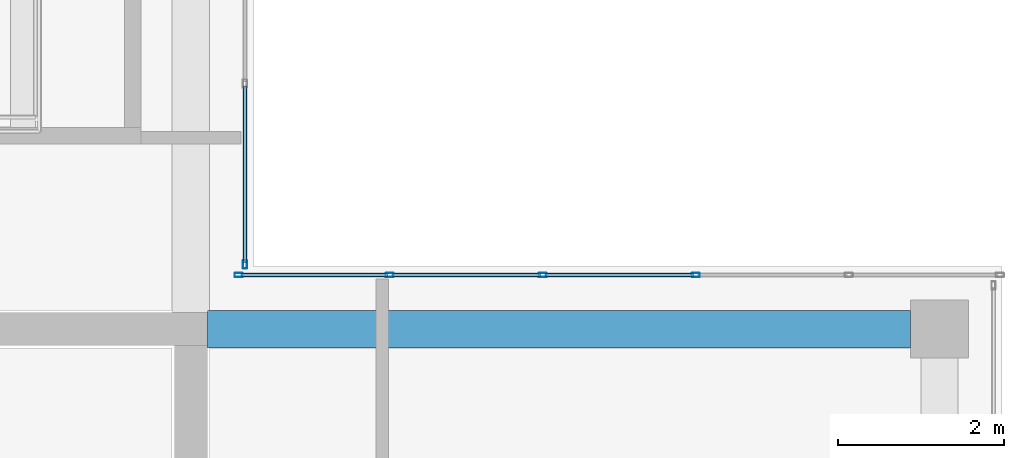
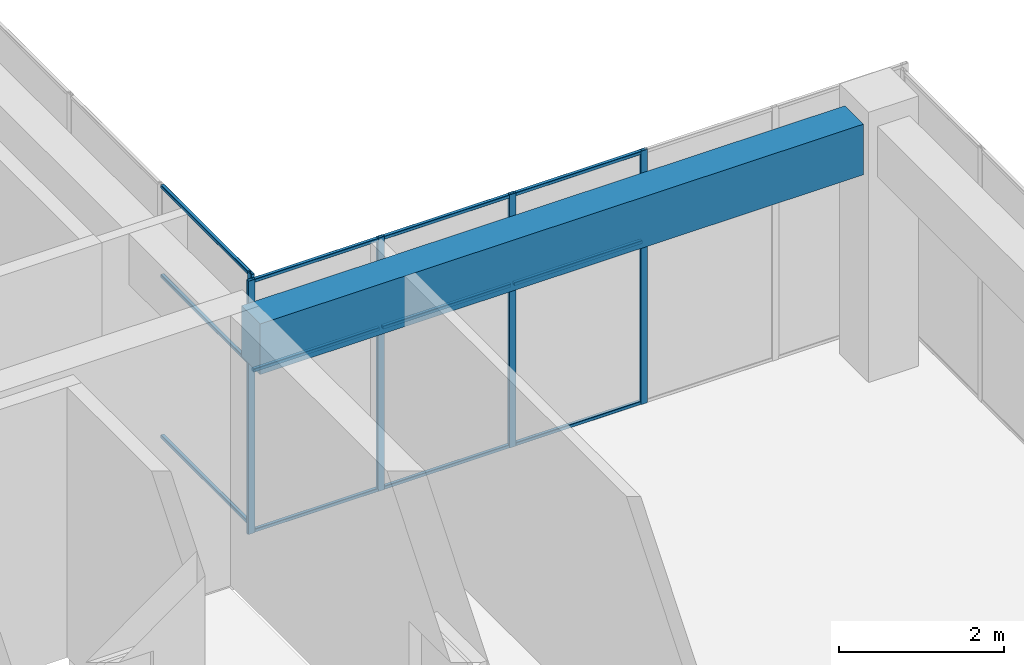
# One storey, part 26 of 49: 17 members, 1 beam, 2 elements without a shape of their own.
"""IFC4 building model written with IfcOpenShell, lengths in metres."""

from ifc_helpers import new_model, si_unit, direction, frame, origin, origin_2d, place, context, subcontext, project, spatial, rectangle, hollow_rectangle, extrude, material, layer, layer_set, material_profile, profile_set, type_object, element, aggregate, save


model = new_model("IFC4")

# Units and contexts
model_context = context("Model", 3, precision=1e-05, world=origin(), true_north=direction((0.0, 1.0)))
body_context = subcontext(model_context, "Body", "Model", "MODEL_VIEW")
ifc_project = project(units=[si_unit("LENGTHUNIT", "METRE"), si_unit("AREAUNIT", "SQUARE_METRE"), si_unit("VOLUMEUNIT", "CUBIC_METRE"), si_unit("PLANEANGLEUNIT", "RADIAN"), si_unit("MASSUNIT", "GRAM", prefix="KILO")], contexts=[model_context])

# Site, building, storey
site_placement = place(None, origin())
site = spatial("IfcSite", under=ifc_project, at=site_placement, CompositionType="ELEMENT")
building_placement = place(site_placement, origin())
building = spatial("IfcBuilding", under=site, at=building_placement, Name="Tuart Plaza Theatre", CompositionType="ELEMENT")
storey_placement = place(building_placement, frame((0.0, 0.0, 29.5)))
storey = spatial("IfcBuildingStorey", under=building, at=storey_placement, Name="L07", CompositionType="ELEMENT", Elevation=29.5)

# Beam
ifc_material_1 = material(Name="Concrete N40 (40 MPa)", Category="concrete")
ifc_material_profile_1 = material_profile(ifc_material_1, rectangle(XDim=0.449951171875, YDim=0.75, at=origin_2d()), Name="BEAM 450x750 Concrete N40 (40 MPa)")
ifc_profile_set_1 = profile_set([ifc_material_profile_1], Name="Concrete N40 (40 MPa)")
beam_type = type_object("IfcBeamType", Name="BEAM 450x750 Concrete N40 (40 MPa)", PredefinedType="BEAM", material=ifc_profile_set_1)
beam_placement = place(storey_placement, frame((141.199951171875, 83.0, 3.375), z_axis=(1.0, 0.0, 0.0), x_axis=(0.0, 1.0, 0.0)))
element("IfcBeam", 1, at=beam_placement, inside=storey, type_object=beam_type, Name="RB276", PredefinedType="BEAM", context=body_context, shape_type="SweptSolid", body=[
    extrude(rectangle(XDim=0.449951171875, YDim=0.75, at=origin_2d()), origin(), (0.0, 0.0, 1.0), 8.449951171875),
])

# Curtain wall, members
ifc_material_2 = material(Name="Aluminium and glass", Category="aluminium")
ifc_layer = layer(ifc_material_2, 0.10009765625)
ifc_layer_set = layer_set([ifc_layer], Name="CURTAIN WALL 2000 module")
curtain_wall_type = type_object("IfcCurtainWallType", Name="CURTAIN WALL 2000 module", PredefinedType="NOTDEFINED", material=ifc_layer_set)
curtain_wall_1_placement = place(storey_placement, origin())
curtain_wall_1 = element("IfcCurtainWall", 2, at=curtain_wall_1_placement, inside=storey, type_object=curtain_wall_type, Name="CW93", PredefinedType="NOTDEFINED")
ifc_material_3 = material(Name="Aluminium 6063-T5", Category="aluminium")
ifc_material_profile_2 = material_profile(ifc_material_3, hollow_rectangle(XDim=0.050048828125, YDim=0.10009765625, WallThickness=0.00390625, InnerFilletRadius=0.00390625, OuterFilletRadius=0.008056640625, at=origin_2d()), Name="RHS 100x50x4")
ifc_profile_set_2 = profile_set([ifc_material_profile_2], Name="Aluminium 6063-T5")
member_type_1 = type_object("IfcMemberType", Name="MULLION RHS 100x50x4", PredefinedType="MULLION", material=ifc_profile_set_2)
member_1_placement = place(storey_placement, frame((147.070068359375, 83.64990234375, 0.0), z_axis=(0.0, 0.0, 1.0), x_axis=(0.0, -1.0, 0.0)))
member_1 = element("IfcMember", 3, at=member_1_placement, type_object=member_type_1, Name="CW93 mullion 3", PredefinedType="MULLION", context=body_context, shape_type="SweptSolid", body=[
    extrude(hollow_rectangle(XDim=0.050048828125, YDim=0.10009765625, WallThickness=0.00390625, InnerFilletRadius=0.00390625, OuterFilletRadius=0.008056640625, at=origin_2d()), origin(), (0.0, 0.0, 1.0), 3.75),
])
member_2_placement = place(storey_placement, frame((145.22998046875, 83.64990234375, 0.0), z_axis=(0.0, 0.0, 1.0), x_axis=(0.0, -1.0, 0.0)))
member_2 = element("IfcMember", 4, at=member_2_placement, type_object=member_type_1, Name="CW93 mullion 4", PredefinedType="MULLION", context=body_context, shape_type="SweptSolid", body=[
    extrude(hollow_rectangle(XDim=0.050048828125, YDim=0.10009765625, WallThickness=0.00390625, InnerFilletRadius=0.00390625, OuterFilletRadius=0.008056640625, at=origin_2d()), origin(), (0.0, 0.0, 1.0), 3.75),
])
member_3_placement = place(storey_placement, frame((143.389892578125, 83.64990234375, 0.0), z_axis=(0.0, 0.0, 1.0), x_axis=(0.0, -1.0, 0.0)))
member_3 = element("IfcMember", 5, at=member_3_placement, type_object=member_type_1, Name="CW93 mullion 5", PredefinedType="MULLION", context=body_context, shape_type="SweptSolid", body=[
    extrude(hollow_rectangle(XDim=0.050048828125, YDim=0.10009765625, WallThickness=0.00390625, InnerFilletRadius=0.00390625, OuterFilletRadius=0.008056640625, at=origin_2d()), origin(), (0.0, 0.0, 1.0), 3.75),
])
member_4_placement = place(storey_placement, frame((141.574951171875, 83.64990234375, 0.0), z_axis=(0.0, 0.0, 1.0), x_axis=(0.0, -1.0, 0.0)))
member_4 = element("IfcMember", 6, at=member_4_placement, type_object=member_type_1, Name="CW93 mullion 6", PredefinedType="MULLION", context=body_context, shape_type="SweptSolid", body=[
    extrude(hollow_rectangle(XDim=0.050048828125, YDim=0.10009765625, WallThickness=0.00390625, InnerFilletRadius=0.00390625, OuterFilletRadius=0.008056640625, at=origin_2d()), origin(), (0.0, 0.0, 1.0), 3.75),
])

# Curtain wall, member
curtain_wall_2_placement = place(storey_placement, origin())
curtain_wall_2 = element("IfcCurtainWall", 7, at=curtain_wall_2_placement, inside=storey, type_object=curtain_wall_type, Name="CW94", PredefinedType="NOTDEFINED")
member_5_placement = place(storey_placement, frame((141.64990234375, 83.77490234375, 0.0), z_axis=(0.0, 0.0, 1.0), x_axis=(-1.0, 0.0, 0.0)))
member_5 = element("IfcMember", 8, at=member_5_placement, type_object=member_type_1, Name="CW94 mullion 1", PredefinedType="MULLION", context=body_context, shape_type="SweptSolid", body=[
    extrude(hollow_rectangle(XDim=0.050048828125, YDim=0.10009765625, WallThickness=0.00390625, InnerFilletRadius=0.00390625, OuterFilletRadius=0.008056640625, at=origin_2d()), origin(), (0.0, 0.0, 1.0), 3.75),
])

# Member
ifc_material_4 = material(Name="Aluminium 6063-T5", Category="aluminium")
ifc_material_profile_3 = material_profile(ifc_material_4, hollow_rectangle(XDim=0.050048828125, YDim=0.050048828125, WallThickness=0.00390625, InnerFilletRadius=0.00390625, OuterFilletRadius=0.008056640625, at=origin_2d()), Name="RHS 50x50x4")
ifc_profile_set_3 = profile_set([ifc_material_profile_3], Name="Aluminium 6063-T5")
member_type_2 = type_object("IfcMemberType", Name="TRANSOM RHS 50x50x4", PredefinedType="USERDEFINED", material=ifc_profile_set_3)
member_6_placement = place(storey_placement, frame((147.044921875, 83.64990234375, 0.02490234375), z_axis=(-1.0, 0.0, 0.0), x_axis=(0.0, -1.0, 0.0)))
member_6 = element("IfcMember", 9, at=member_6_placement, type_object=member_type_2, Name="CW93 transom 3.1", ObjectType="TRANSOM", PredefinedType="USERDEFINED", context=body_context, shape_type="SweptSolid", body=[
    extrude(hollow_rectangle(XDim=0.050048828125, YDim=0.050048828125, WallThickness=0.00390625, InnerFilletRadius=0.00390625, OuterFilletRadius=0.008056640625, at=origin_2d()), origin(), (0.0, 0.0, 1.0), 1.7900390625),
])

member_7_placement = place(storey_placement, frame((147.044921875, 83.64990234375, 2.39990234375), z_axis=(-1.0, 0.0, 0.0), x_axis=(0.0, -1.0, 0.0)))
member_7 = element("IfcMember", 10, at=member_7_placement, type_object=member_type_2, Name="CW93 transom 3.2", ObjectType="TRANSOM", PredefinedType="USERDEFINED", context=body_context, shape_type="SweptSolid", body=[
    extrude(hollow_rectangle(XDim=0.050048828125, YDim=0.050048828125, WallThickness=0.00390625, InnerFilletRadius=0.00390625, OuterFilletRadius=0.008056640625, at=origin_2d()), origin(), (0.0, 0.0, 1.0), 1.7900390625),
])

member_8_placement = place(storey_placement, frame((147.044921875, 83.64990234375, 3.72509765625), z_axis=(-1.0, 0.0, 0.0), x_axis=(0.0, -1.0, 0.0)))
member_8 = element("IfcMember", 11, at=member_8_placement, type_object=member_type_2, Name="CW93 transom 3.3", ObjectType="TRANSOM", PredefinedType="USERDEFINED", context=body_context, shape_type="SweptSolid", body=[
    extrude(hollow_rectangle(XDim=0.050048828125, YDim=0.050048828125, WallThickness=0.00390625, InnerFilletRadius=0.00390625, OuterFilletRadius=0.008056640625, at=origin_2d()), origin(), (0.0, 0.0, 1.0), 1.7900390625),
])

member_9_placement = place(storey_placement, frame((145.205078125, 83.64990234375, 0.02490234375), z_axis=(-1.0, 0.0, 0.0), x_axis=(0.0, -1.0, 0.0)))
member_9 = element("IfcMember", 12, at=member_9_placement, type_object=member_type_2, Name="CW93 transom 4.1", ObjectType="TRANSOM", PredefinedType="USERDEFINED", context=body_context, shape_type="SweptSolid", body=[
    extrude(hollow_rectangle(XDim=0.050048828125, YDim=0.050048828125, WallThickness=0.00390625, InnerFilletRadius=0.00390625, OuterFilletRadius=0.008056640625, at=origin_2d()), origin(), (0.0, 0.0, 1.0), 1.7900390625),
])

member_10_placement = place(storey_placement, frame((145.205078125, 83.64990234375, 2.39990234375), z_axis=(-1.0, 0.0, 0.0), x_axis=(0.0, -1.0, 0.0)))
member_10 = element("IfcMember", 13, at=member_10_placement, type_object=member_type_2, Name="CW93 transom 4.2", ObjectType="TRANSOM", PredefinedType="USERDEFINED", context=body_context, shape_type="SweptSolid", body=[
    extrude(hollow_rectangle(XDim=0.050048828125, YDim=0.050048828125, WallThickness=0.00390625, InnerFilletRadius=0.00390625, OuterFilletRadius=0.008056640625, at=origin_2d()), origin(), (0.0, 0.0, 1.0), 1.7900390625),
])

member_11_placement = place(storey_placement, frame((145.205078125, 83.64990234375, 3.72509765625), z_axis=(-1.0, 0.0, 0.0), x_axis=(0.0, -1.0, 0.0)))
member_11 = element("IfcMember", 14, at=member_11_placement, type_object=member_type_2, Name="CW93 transom 4.3", ObjectType="TRANSOM", PredefinedType="USERDEFINED", context=body_context, shape_type="SweptSolid", body=[
    extrude(hollow_rectangle(XDim=0.050048828125, YDim=0.050048828125, WallThickness=0.00390625, InnerFilletRadius=0.00390625, OuterFilletRadius=0.008056640625, at=origin_2d()), origin(), (0.0, 0.0, 1.0), 1.7900390625),
])

member_12_placement = place(storey_placement, frame((143.364990234375, 83.64990234375, 0.02490234375), z_axis=(-1.0, 0.0, 0.0), x_axis=(0.0, -1.0, 0.0)))
member_12 = element("IfcMember", 15, at=member_12_placement, type_object=member_type_2, Name="CW93 transom 5.1", ObjectType="TRANSOM", PredefinedType="USERDEFINED", context=body_context, shape_type="SweptSolid", body=[
    extrude(hollow_rectangle(XDim=0.050048828125, YDim=0.050048828125, WallThickness=0.00390625, InnerFilletRadius=0.00390625, OuterFilletRadius=0.008056640625, at=origin_2d()), origin(), (0.0, 0.0, 1.0), 1.764892578125),
])

member_13_placement = place(storey_placement, frame((143.364990234375, 83.64990234375, 2.39990234375), z_axis=(-1.0, 0.0, 0.0), x_axis=(0.0, -1.0, 0.0)))
member_13 = element("IfcMember", 16, at=member_13_placement, type_object=member_type_2, Name="CW93 transom 5.2", ObjectType="TRANSOM", PredefinedType="USERDEFINED", context=body_context, shape_type="SweptSolid", body=[
    extrude(hollow_rectangle(XDim=0.050048828125, YDim=0.050048828125, WallThickness=0.00390625, InnerFilletRadius=0.00390625, OuterFilletRadius=0.008056640625, at=origin_2d()), origin(), (0.0, 0.0, 1.0), 1.764892578125),
])

member_14_placement = place(storey_placement, frame((143.364990234375, 83.64990234375, 3.72509765625), z_axis=(-1.0, 0.0, 0.0), x_axis=(0.0, -1.0, 0.0)))
member_14 = element("IfcMember", 17, at=member_14_placement, type_object=member_type_2, Name="CW93 transom 5.3", ObjectType="TRANSOM", PredefinedType="USERDEFINED", context=body_context, shape_type="SweptSolid", body=[
    extrude(hollow_rectangle(XDim=0.050048828125, YDim=0.050048828125, WallThickness=0.00390625, InnerFilletRadius=0.00390625, OuterFilletRadius=0.008056640625, at=origin_2d()), origin(), (0.0, 0.0, 1.0), 1.764892578125),
])

aggregate(curtain_wall_1, [member_1, member_2, member_3, member_4, member_6, member_7, member_8, member_9, member_10, member_11, member_12, member_13, member_14])

member_15_placement = place(storey_placement, frame((141.64990234375, 83.800048828125, 0.02490234375), z_axis=(0.0, 1.0, 0.0), x_axis=(-1.0, 0.0, 0.0)))
member_15 = element("IfcMember", 18, at=member_15_placement, type_object=member_type_2, Name="CW94 transom 1.1", ObjectType="TRANSOM", PredefinedType="USERDEFINED", context=body_context, shape_type="SweptSolid", body=[
    extrude(hollow_rectangle(XDim=0.050048828125, YDim=0.050048828125, WallThickness=0.00390625, InnerFilletRadius=0.00390625, OuterFilletRadius=0.008056640625, at=origin_2d()), origin(), (0.0, 0.0, 1.0), 2.125),
])

member_16_placement = place(storey_placement, frame((141.64990234375, 83.800048828125, 2.39990234375), z_axis=(0.0, 1.0, 0.0), x_axis=(-1.0, 0.0, 0.0)))
member_16 = element("IfcMember", 19, at=member_16_placement, type_object=member_type_2, Name="CW94 transom 1.2", ObjectType="TRANSOM", PredefinedType="USERDEFINED", context=body_context, shape_type="SweptSolid", body=[
    extrude(hollow_rectangle(XDim=0.050048828125, YDim=0.050048828125, WallThickness=0.00390625, InnerFilletRadius=0.00390625, OuterFilletRadius=0.008056640625, at=origin_2d()), origin(), (0.0, 0.0, 1.0), 2.125),
])

member_17_placement = place(storey_placement, frame((141.64990234375, 83.800048828125, 3.72509765625), z_axis=(0.0, 1.0, 0.0), x_axis=(-1.0, 0.0, 0.0)))
member_17 = element("IfcMember", 20, at=member_17_placement, type_object=member_type_2, Name="CW94 transom 1.3", ObjectType="TRANSOM", PredefinedType="USERDEFINED", context=body_context, shape_type="SweptSolid", body=[
    extrude(hollow_rectangle(XDim=0.050048828125, YDim=0.050048828125, WallThickness=0.00390625, InnerFilletRadius=0.00390625, OuterFilletRadius=0.008056640625, at=origin_2d()), origin(), (0.0, 0.0, 1.0), 2.125),
])

aggregate(curtain_wall_2, [member_5, member_15, member_16, member_17])

save(model, "model.ifc")
